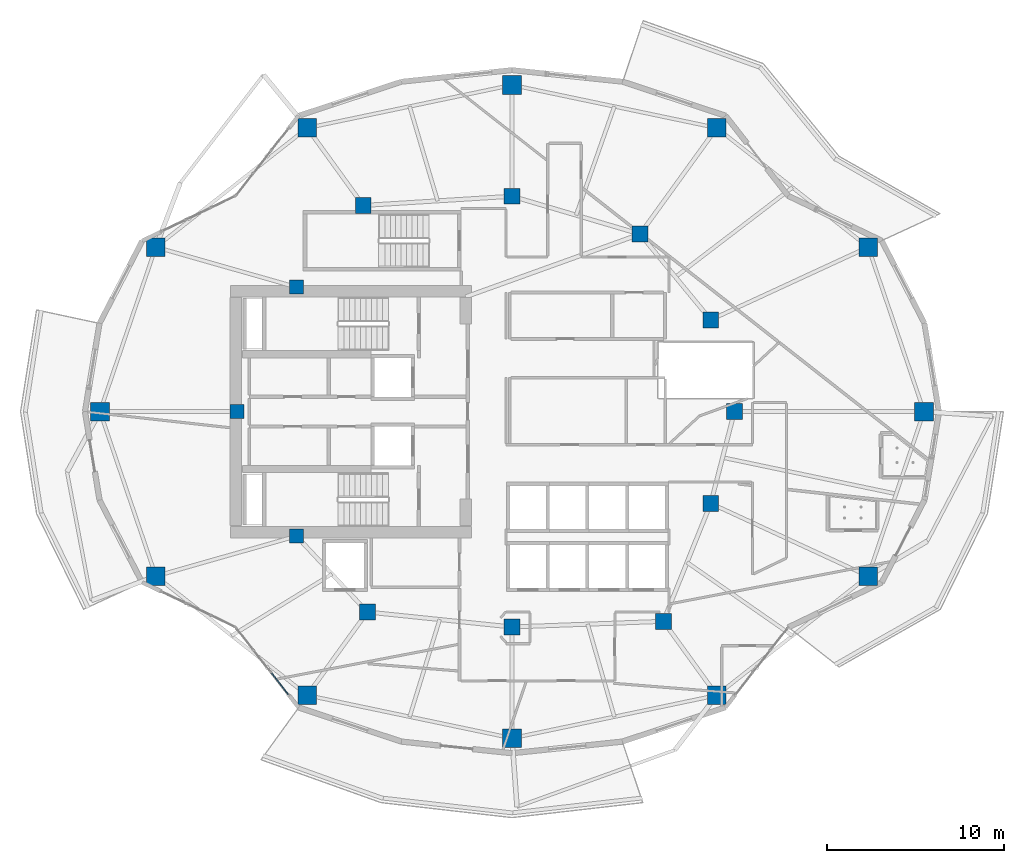
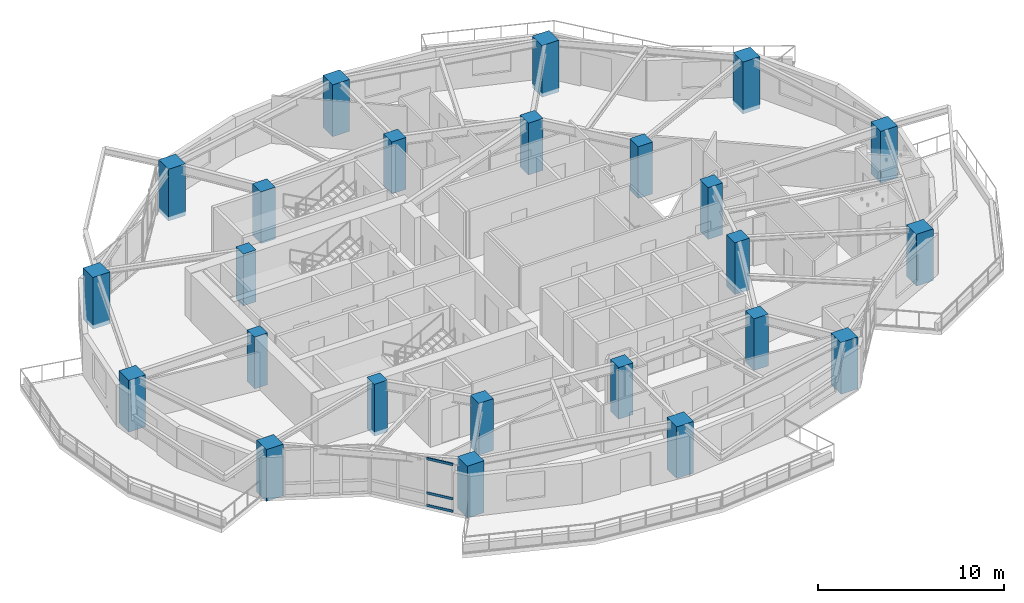
# One storey, part 1 of 18: 24 columns, 3 members, 1 element without a shape of its own.
"""IFC4 building model written with IfcOpenShell, lengths in metres."""

from ifc_helpers import new_model, si_unit, direction, frame, origin, origin_2d, place, context, subcontext, project, spatial, rectangle, extrude, material, layer, layer_set, material_profile, profile_set, type_object, element, aggregate, save


model = new_model("IFC4")

# Units and contexts
model_context = context("Model", 3, precision=1e-05, world=origin(), true_north=direction((0.0, 1.0)))
body_context = subcontext(model_context, "Body", "Model", "MODEL_VIEW")
ifc_project = project(units=[si_unit("LENGTHUNIT", "METRE"), si_unit("AREAUNIT", "SQUARE_METRE"), si_unit("VOLUMEUNIT", "CUBIC_METRE"), si_unit("PLANEANGLEUNIT", "RADIAN"), si_unit("MASSUNIT", "GRAM", prefix="KILO")], contexts=[model_context])

# Site, building, storey
site_placement = place(None, origin())
site = spatial("IfcSite", under=ifc_project, at=site_placement, CompositionType="ELEMENT")
building_placement = place(site_placement, origin())
building = spatial("IfcBuilding", under=site, at=building_placement, Name="Kolvaren Gate Tower and Convention Centre", CompositionType="ELEMENT")
storey_placement = place(building_placement, frame((0.0, 0.0, 115.5)))
storey = spatial("IfcBuildingStorey", under=building, at=storey_placement, Name="L28", CompositionType="ELEMENT", Elevation=115.5)

# Columns
ifc_material_1 = material(Name="Concrete C60/75", Category="concrete")
ifc_material_profile_1 = material_profile(ifc_material_1, rectangle(XDim=1.050048828125, YDim=1.050048828125, at=origin_2d()), Name="RC-COL-1050X1050")
ifc_profile_set_1 = profile_set([ifc_material_profile_1], Name="Concrete C60/75")
column_type_1 = type_object("IfcColumnType", Name="STR-COL-RC1050", PredefinedType="COLUMN", material=ifc_profile_set_1)
for number, where, z_axis, x_axis, name in (
    (1, (53.46240234375, 27.0, -0.27001953125), (0.0, 0.0, 1.0), (1.0, 0.0, 0.0), "Tower L28 Perimeter Supercolumn TP-01"),
    (2, (50.30029296875, 36.318603515625, -0.27001953125), (0.0, 0.0, 1.0), (1.0, 0.0, 0.0), "Tower L28 Perimeter Supercolumn TP-02"),
    (3, (41.721435546875, 43.068359375, -0.27001953125), (0.0, 0.0, 1.0), (1.0, 0.0, 0.0), "Tower L28 Perimeter Supercolumn TP-03"),
    (4, (30.125, 45.5, -0.27001953125), (0.0, 0.0, 1.0), (1.0, 0.0, 0.0), "Tower L28 Perimeter Supercolumn TP-04"),
    (5, (18.52880859375, 43.068359375, -0.27001953125), (0.0, 0.0, 1.0), (1.0, 0.0, 0.0), "Tower L28 Perimeter Supercolumn TP-05"),
    (6, (9.94970703125, 36.318603515625, -0.27001953125), (0.0, 0.0, 1.0), (1.0, 0.0, 0.0), "Tower L28 Perimeter Supercolumn TP-06"),
    (7, (6.78759765625, 27.0, -0.27001953125), (0.0, 0.0, 1.0), (1.0, 0.0, 0.0), "Tower L28 Perimeter Supercolumn TP-07"),
    (8, (9.94970703125, 17.681396484375, -0.27001953125), (0.0, 0.0, 1.0), (1.0, 0.0, 0.0), "Tower L28 Perimeter Supercolumn TP-08"),
    (9, (18.528564453125, 10.931640625, -0.27001953125), (0.0, 0.0, 1.0), (1.0, 0.0, 0.0), "Tower L28 Perimeter Supercolumn TP-09"),
    (10, (30.125, 8.5, -0.27001953125), (0.0, 0.0, 1.0), (1.0, 0.0, 0.0), "Tower L28 Perimeter Supercolumn TP-10"),
    (11, (41.721435546875, 10.931640625, -0.27001953125), (0.0, 0.0, 1.0), (1.0, 0.0, 0.0), "Tower L28 Perimeter Supercolumn TP-11"),
    (12, (50.30029296875, 17.681396484375, -0.27001953125), (0.0, 0.0, 1.0), (1.0, 0.0, 0.0), "Tower L28 Perimeter Supercolumn TP-12"),
):
    element("IfcColumn", number, at=place(storey_placement, frame(where, z_axis=z_axis, x_axis=x_axis)), inside=storey, type_object=column_type_1, Name=name, PredefinedType="COLUMN", context=body_context, shape_type="SweptSolid", body=[
        extrude(rectangle(XDim=1.050048828125, YDim=1.050048828125, at=origin_2d()), origin(), (0.0, 0.0, 1.0), 3.39990234375),
    ])
ifc_material_profile_2 = material_profile(ifc_material_1, rectangle(XDim=0.89990234375, YDim=0.89990234375, at=origin_2d()), Name="RC-COL-900X900")
ifc_profile_set_2 = profile_set([ifc_material_profile_2], Name="Concrete C60/75")
column_type_2 = type_object("IfcColumnType", Name="STR-COL-RC900", PredefinedType="COLUMN", material=ifc_profile_set_2)
for number, where, z_axis, x_axis, name in (
    (13, (42.72509765625, 27.0, -0.27001953125), (0.0, 0.0, 1.0), (1.0, 0.0, 0.0), "Tower L28 Interior Column TI-01"),
    (14, (41.382080078125, 32.199462890625, -0.27001953125), (0.0, 0.0, 1.0), (1.0, 0.0, 0.0), "Tower L28 Interior Column TI-02"),
    (15, (37.381591796875, 37.054931640625, -0.27001953125), (0.0, 0.0, 1.0), (1.0, 0.0, 0.0), "Tower L28 Interior Column TI-03"),
    (16, (30.125, 39.199951171875, -0.27001953125), (0.0, 0.0, 1.0), (1.0, 0.0, 0.0), "Tower L28 Interior Column TI-04"),
    (17, (21.697998046875, 38.6767578125, -0.27001953125), (0.0, 0.0, 1.0), (1.0, 0.0, 0.0), "Tower L28 Interior Column TI-05"),
    (18, (21.93212890625, 15.647705078125, -0.27001953125), (0.0, 0.0, 1.0), (1.0, 0.0, 0.0), "Tower L28 Interior Column TI-06"),
    (19, (30.125, 14.800048828125, -0.27001953125), (0.0, 0.0, 1.0), (1.0, 0.0, 0.0), "Tower L28 Interior Column TI-07"),
    (20, (38.6982421875, 15.12060546875, -0.27001953125), (0.0, 0.0, 1.0), (1.0, 0.0, 0.0), "Tower L28 Interior Column TI-08"),
    (21, (41.382080078125, 21.800537109375, -0.27001953125), (0.0, 0.0, 1.0), (1.0, 0.0, 0.0), "Tower L28 Interior Column TI-09"),
):
    element("IfcColumn", number, at=place(storey_placement, frame(where, z_axis=z_axis, x_axis=x_axis)), inside=storey, type_object=column_type_2, Name=name, PredefinedType="COLUMN", context=body_context, shape_type="SweptSolid", body=[
        extrude(rectangle(XDim=0.89990234375, YDim=0.89990234375, at=origin_2d()), origin(), (0.0, 0.0, 1.0), 3.39990234375),
    ])
ifc_material_profile_3 = material_profile(ifc_material_1, rectangle(XDim=0.800048828125, YDim=0.800048828125, at=origin_2d()), Name="RC-COL-800X800")
ifc_profile_set_3 = profile_set([ifc_material_profile_3], Name="Concrete C60/75")
column_type_3 = type_object("IfcColumnType", Name="STR-PIL-RC800", PredefinedType="PILASTER", material=ifc_profile_set_3)
for number, where, z_axis, x_axis, name in (
    (22, (17.9140625, 34.050048828125, -0.27001953125), (0.0, 0.0, 1.0), (1.0, 0.0, 0.0), "Tower L28 Core Boundary Pilaster TC-05"),
    (23, (14.550048828125, 27.0, -0.27001953125), (0.0, 0.0, 1.0), (1.0, 0.0, 0.0), "Tower L28 Core Boundary Pilaster TC-06"),
    (24, (17.9140625, 19.949951171875, -0.27001953125), (0.0, 0.0, 1.0), (1.0, 0.0, 0.0), "Tower L28 Core Boundary Pilaster TC-07"),
):
    element("IfcColumn", number, at=place(storey_placement, frame(where, z_axis=z_axis, x_axis=x_axis)), inside=storey, type_object=column_type_3, Name=name, PredefinedType="PILASTER", context=body_context, shape_type="SweptSolid", body=[
        extrude(rectangle(XDim=0.800048828125, YDim=0.800048828125, at=origin_2d()), origin(), (0.0, 0.0, 1.0), 3.39990234375),
    ])

# Curtain wall, members
ifc_material_2 = material(Name="Anodized Architectural Aluminium Alloy 6063-T6", Category="aluminium")
ifc_layer = layer(ifc_material_2, 0.159912109375)
ifc_layer_set = layer_set([ifc_layer], Name="Anodized Architectural Aluminium Alloy 6063-T6")
curtain_wall_type = type_object("IfcCurtainWallType", Name="CW-HTL-UNIT", PredefinedType="NOTDEFINED", material=ifc_layer_set)
curtain_wall_placement = place(storey_placement, origin())
curtain_wall = element("IfcCurtainWall", 25, at=curtain_wall_placement, inside=storey, type_object=curtain_wall_type, Name="Tower L28 Unitised Curtain Wall CW-HTL-UNIT Bay 15", PredefinedType="NOTDEFINED")
ifc_material_profile_4 = material_profile(ifc_material_2, rectangle(XDim=0.06494140625, YDim=0.159912109375, at=origin_2d()), Name="CW-MEM-TRN-160")
ifc_profile_set_4 = profile_set([ifc_material_profile_4], Name="Anodized Architectural Aluminium Alloy 6063-T6")
member_type = type_object("IfcMemberType", Name="CW-MEM-TRN-160", PredefinedType="USERDEFINED", material=ifc_profile_set_4)
member_1_placement = place(storey_placement, frame((16.508056640625, 12.188232421875, 0.032470703125), z_axis=(0.61639000373, -0.78744102211, 0.0), x_axis=(0.78744102211, 0.61639000373, 0.0)))
member_1 = element("IfcMember", 26, at=member_1_placement, type_object=member_type, Name="CW-03 transom 3.1", ObjectType="TRANSOM", PredefinedType="USERDEFINED", context=body_context, shape_type="SweptSolid", body=[
    extrude(rectangle(XDim=0.06494140625, YDim=0.159912109375, at=origin_2d()), origin(), (0.0, 0.0, 1.0), 1.530029296875),
])
member_2_placement = place(storey_placement, frame((16.508056640625, 12.188232421875, 0.85009765625), z_axis=(0.61639000373, -0.78744102211, 0.0), x_axis=(0.78744102211, 0.61639000373, 0.0)))
member_2 = element("IfcMember", 27, at=member_2_placement, type_object=member_type, Name="CW-03 transom 3.2", ObjectType="TRANSOM", PredefinedType="USERDEFINED", context=body_context, shape_type="SweptSolid", body=[
    extrude(rectangle(XDim=0.06494140625, YDim=0.159912109375, at=origin_2d()), origin(), (0.0, 0.0, 1.0), 1.530029296875),
])
member_3_placement = place(storey_placement, frame((16.508056640625, 12.188232421875, 3.097412109375), z_axis=(0.61639000373, -0.78744102211, 0.0), x_axis=(0.78744102211, 0.61639000373, 0.0)))
member_3 = element("IfcMember", 28, at=member_3_placement, type_object=member_type, Name="CW-03 transom 3.3", ObjectType="TRANSOM", PredefinedType="USERDEFINED", context=body_context, shape_type="SweptSolid", body=[
    extrude(rectangle(XDim=0.06494140625, YDim=0.159912109375, at=origin_2d()), origin(), (0.0, 0.0, 1.0), 1.530029296875),
])
aggregate(curtain_wall, [member_1, member_2, member_3])

save(model, "model.ifc")
